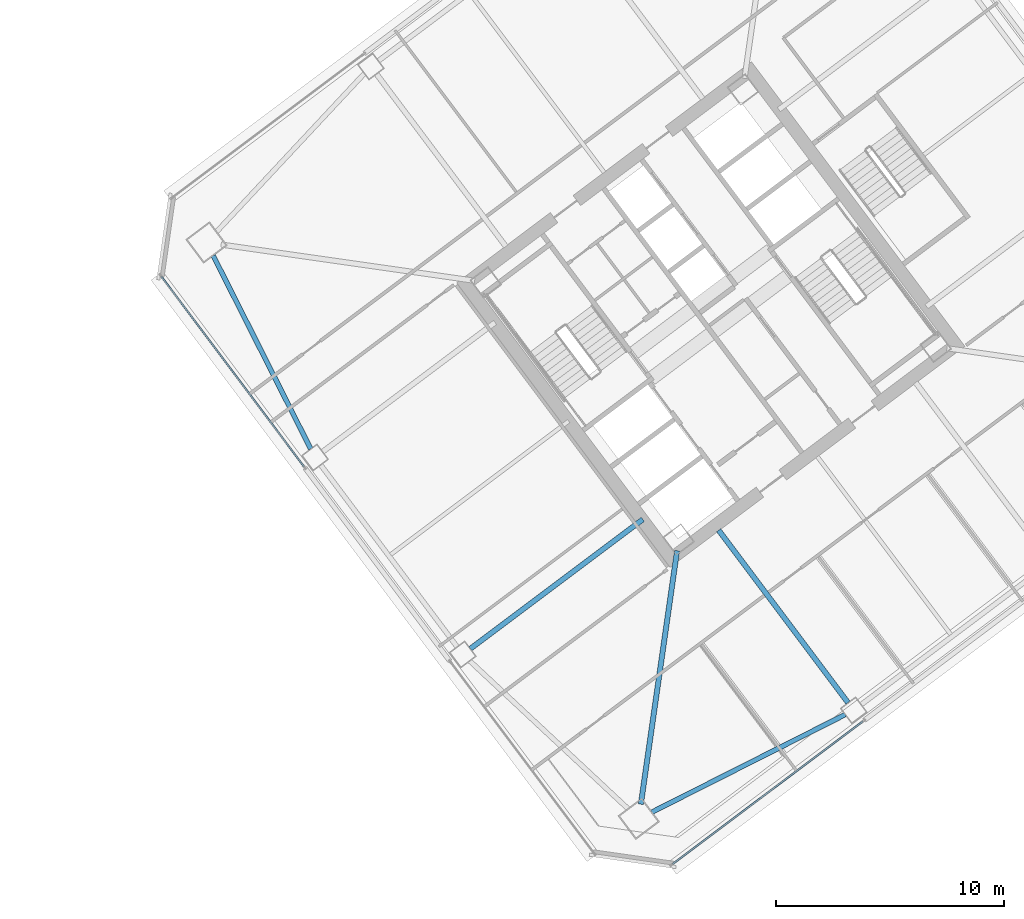
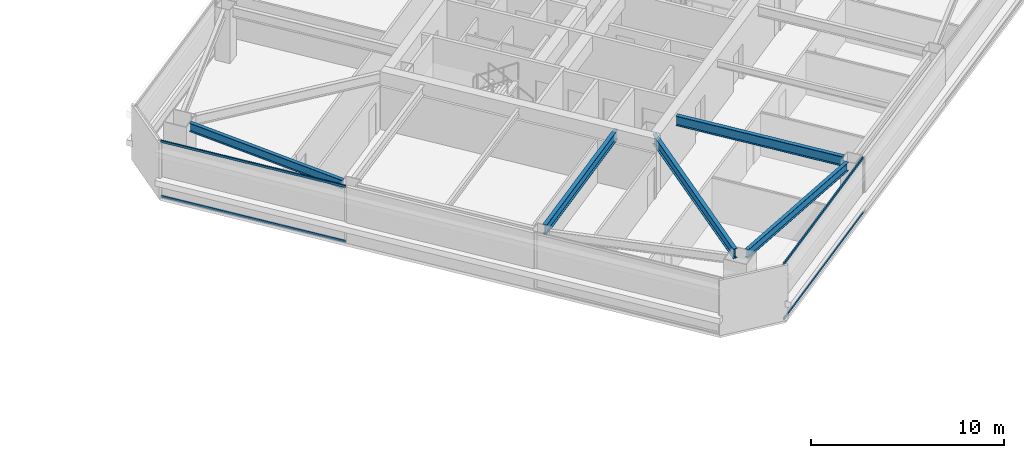
# One storey, part 18 of 41: 5 beams, 4 members, 2 elements without a shape of their own.
"""IFC4 building model written with IfcOpenShell, lengths in metres."""

from ifc_helpers import new_model, si_unit, direction, frame, origin, origin_2d, place, context, subcontext, project, spatial, hollow_rectangle, i_section, extrude, material, material_profile, profile_set, type_object, element, aggregate, save


model = new_model("IFC4")

# Units and contexts
model_context = context("Model", 3, precision=1e-05, world=origin(), true_north=direction((0.0, 1.0)))
body_context = subcontext(model_context, "Body", "Model", "MODEL_VIEW")
ifc_project = project(units=[si_unit("LENGTHUNIT", "METRE"), si_unit("AREAUNIT", "SQUARE_METRE"), si_unit("VOLUMEUNIT", "CUBIC_METRE"), si_unit("PLANEANGLEUNIT", "RADIAN"), si_unit("MASSUNIT", "GRAM", prefix="KILO")], contexts=[model_context])

# Site, building, storey
site_placement = place(None, origin())
site = spatial("IfcSite", under=ifc_project, at=site_placement, CompositionType="ELEMENT")
building_placement = place(site_placement, origin())
building = spatial("IfcBuilding", under=site, at=building_placement, Name="Tashvorn Skyway Center", CompositionType="ELEMENT")
storey_placement = place(building_placement, frame((0.0, 0.0, 117.949951171875)))
storey = spatial("IfcBuildingStorey", under=building, at=storey_placement, Name="L31", CompositionType="ELEMENT", Elevation=117.949951171875)

# Beams
ifc_material_1 = material(Name="Steel ASTM A992 Grade 50", Category="steel")
ifc_material_profile_1 = material_profile(ifc_material_1, i_section(OverallWidth=0.22998046875, OverallDepth=0.616943359375, WebThickness=0.01318359375, FlangeThickness=0.022216796875, at=origin_2d()), Name="W24X94")
ifc_profile_set_1 = profile_set([ifc_material_profile_1], Name="Steel ASTM A992 Grade 50")
beam_type_1 = type_object("IfcBeamType", Name="BM-BEAM-W24X94", PredefinedType="BEAM", material=ifc_profile_set_1)
beam_placement = place(storey_placement, frame((110.93115234375, 10.5185546875, 3.0615234375), z_axis=(0.141430483583, 0.989948189712, 0.0), x_axis=(-0.989948189712, 0.141430483583, 0.0)))
element("IfcBeam", 1, at=beam_placement, inside=storey, type_object=beam_type_1, Name="Tower 2 L31 Primary Floor Girder MC-SW", PredefinedType="BEAM", context=body_context, shape_type="SweptSolid", body=[
    extrude(i_section(OverallWidth=0.22998046875, OverallDepth=0.616943359375, WebThickness=0.01318359375, FlangeThickness=0.022216796875, at=origin_2d()), origin(), (0.0, 0.0, 1.0), 11.234375),
])
for number, where, z_axis, x_axis, name in (
    (2, (120.01806640625, 14.97607421875, 3.0615234375), (-0.600020667896, 0.799984498661, 0.0), (-0.799984498661, -0.600020667896, 0.0), "Tower 2 L31 Primary Floor Girder FC-S1"),
    (3, (103.4560546875, 17.342041015625, 3.0615234375), (0.800006200354, 0.599991732772, 0.0), (-0.599991732772, 0.800006200354, 0.0), "Tower 2 L31 Primary Floor Girder FC-W2"),
):
    element("IfcBeam", number, at=place(storey_placement, frame(where, z_axis=z_axis, x_axis=x_axis)), inside=storey, type_object=beam_type_1, Name=name, PredefinedType="BEAM", context=body_context, shape_type="SweptSolid", body=[
        extrude(i_section(OverallWidth=0.22998046875, OverallDepth=0.616943359375, WebThickness=0.01318359375, FlangeThickness=0.022216796875, at=origin_2d()), origin(), (0.0, 0.0, 1.0), 9.449951171875),
    ])
ifc_material_profile_2 = material_profile(ifc_material_1, i_section(OverallWidth=0.2109375, OverallDepth=0.5390625, WebThickness=0.01171875, FlangeThickness=0.018798828125, at=origin_2d()), Name="W21X73")
ifc_profile_set_2 = profile_set([ifc_material_profile_2], Name="Steel ASTM A992 Grade 50")
beam_type_2 = type_object("IfcBeamType", Name="BM-SPANDREL-W21X73", PredefinedType="SPANDREL", material=ifc_profile_set_2)
for number, where, z_axis, x_axis, name in (
    (4, (111.415771484375, 10.170654296875, 3.1005859375), (0.892719124217, 0.450613543136, 0.0), (-0.450613543136, 0.892719124217, 0.0), "Tower 2 L31 Spandrel Beam 01"),
    (5, (92.170654296875, 34.584228515625, 3.1005859375), (0.450613543136, -0.892719124217, 0.0), (0.892719124217, 0.450613543136, 0.0), "Tower 2 L31 Spandrel Beam 10"),
):
    element("IfcBeam", number, at=place(storey_placement, frame(where, z_axis=z_axis, x_axis=x_axis)), inside=storey, type_object=beam_type_2, Name=name, PredefinedType="SPANDREL", context=body_context, shape_type="SweptSolid", body=[
        extrude(i_section(OverallWidth=0.2109375, OverallDepth=0.5390625, WebThickness=0.01171875, FlangeThickness=0.018798828125, at=origin_2d()), origin(), (0.0, 0.0, 1.0), 9.498291015625),
    ])

# Curtain wall, members
ifc_material_2 = material(Name="Thermally broken bronze-anodized aluminium 6063-T6", Category="aluminium")
curtain_wall_type = type_object("IfcCurtainWallType", Name="CW-CW-Z3", PredefinedType="NOTDEFINED", material=ifc_material_2)
curtain_wall_1_placement = place(storey_placement, origin())
curtain_wall_1 = element("IfcCurtainWall", 6, at=curtain_wall_1_placement, inside=storey, type_object=curtain_wall_type, Name="Tower 2 L31 South Unitised Curtain Wall Glazing Group 2", PredefinedType="NOTDEFINED")
ifc_material_profile_3 = material_profile(ifc_material_2, hollow_rectangle(XDim=0.074951171875, YDim=0.139892578125, WallThickness=0.004150390625, at=origin_2d()), Name="ALU-TRAN-75x140")
ifc_profile_set_3 = profile_set([ifc_material_profile_3], Name="Thermally broken bronze-anodized aluminium 6063-T6")
member_type = type_object("IfcMemberType", Name="CWT-CW-Z3", PredefinedType="USERDEFINED", material=ifc_profile_set_3)
member_1_placement = place(storey_placement, frame((120.67333984375, 14.155029296875, 0.03759765625), z_axis=(-0.800002807101, -0.599996257181, 0.0), x_axis=(0.599996257181, -0.800002807101, 0.0)))
member_1 = element("IfcMember", 7, at=member_1_placement, type_object=member_type, Name="CW-Z3 transom 1.1", ObjectType="TRANSOM", PredefinedType="USERDEFINED", context=body_context, shape_type="SweptSolid", body=[
    extrude(hollow_rectangle(XDim=0.074951171875, YDim=0.139892578125, WallThickness=0.004150390625, at=origin_2d()), origin(), (0.0, 0.0, 1.0), 10.436767578125),
])
member_2_placement = place(storey_placement, frame((120.67333984375, 14.155029296875, 3.512451171875), z_axis=(-0.800002807101, -0.599996257181, 0.0), x_axis=(0.599996257181, -0.800002807101, 0.0)))
member_2 = element("IfcMember", 8, at=member_2_placement, type_object=member_type, Name="CW-Z3 transom 1.2", ObjectType="TRANSOM", PredefinedType="USERDEFINED", context=body_context, shape_type="SweptSolid", body=[
    extrude(hollow_rectangle(XDim=0.074951171875, YDim=0.139892578125, WallThickness=0.004150390625, at=origin_2d()), origin(), (0.0, 0.0, 1.0), 10.436767578125),
])
aggregate(curtain_wall_1, [member_1, member_2])

curtain_wall_2_placement = place(storey_placement, origin())
curtain_wall_2 = element("IfcCurtainWall", 9, at=curtain_wall_2_placement, inside=storey, type_object=curtain_wall_type, Name="Tower 2 L31 West Unitised Curtain Wall Glazing Group 2", PredefinedType="NOTDEFINED")
member_3_placement = place(storey_placement, frame((96.155029296875, 25.32666015625, 0.03759765625), z_axis=(-0.599996257181, 0.800002807101, 0.0), x_axis=(-0.800002807101, -0.599996257181, 0.0)))
member_3 = element("IfcMember", 10, at=member_3_placement, type_object=member_type, Name="CW-Z3 transom 1.1", ObjectType="TRANSOM", PredefinedType="USERDEFINED", context=body_context, shape_type="SweptSolid", body=[
    extrude(hollow_rectangle(XDim=0.074951171875, YDim=0.139892578125, WallThickness=0.004150390625, at=origin_2d()), origin(), (0.0, 0.0, 1.0), 10.436767578125),
])
member_4_placement = place(storey_placement, frame((96.155029296875, 25.32666015625, 3.512451171875), z_axis=(-0.599996257181, 0.800002807101, 0.0), x_axis=(-0.800002807101, -0.599996257181, 0.0)))
member_4 = element("IfcMember", 11, at=member_4_placement, type_object=member_type, Name="CW-Z3 transom 1.2", ObjectType="TRANSOM", PredefinedType="USERDEFINED", context=body_context, shape_type="SweptSolid", body=[
    extrude(hollow_rectangle(XDim=0.074951171875, YDim=0.139892578125, WallThickness=0.004150390625, at=origin_2d()), origin(), (0.0, 0.0, 1.0), 10.436767578125),
])
aggregate(curtain_wall_2, [member_3, member_4])

save(model, "model.ifc")
